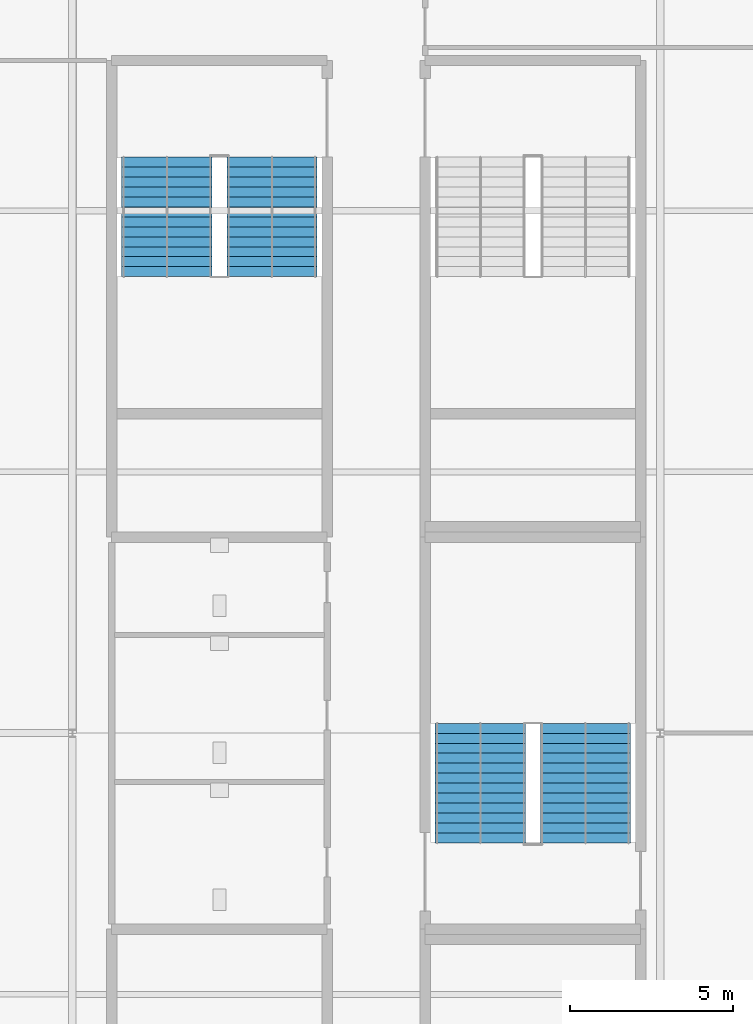
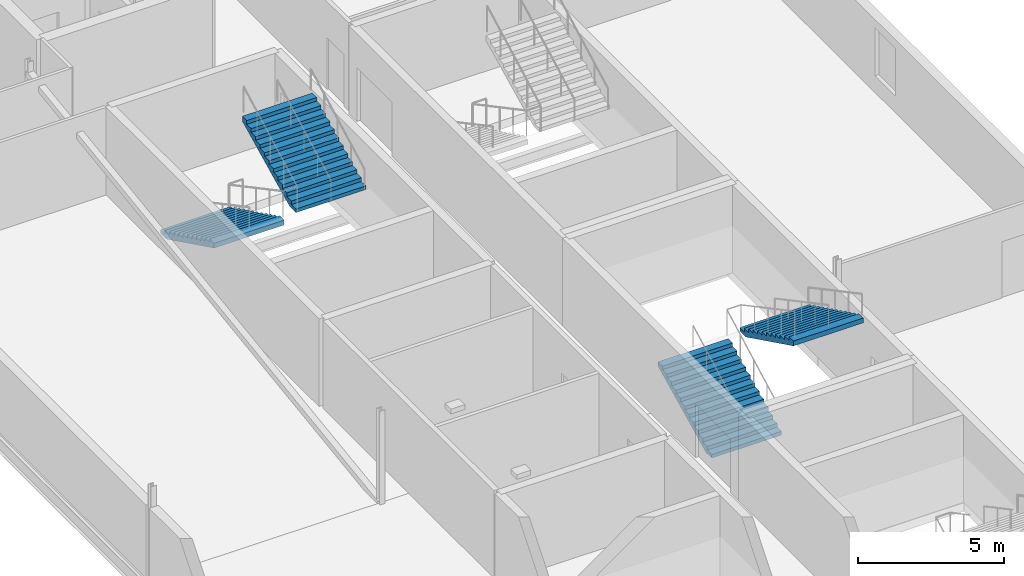
# One storey, part 27 of 35: 4 stair flights, 2 elements without a shape of their own.
"""IFC4 building model written with IfcOpenShell, lengths in metres."""

from ifc_helpers import new_model, si_unit, direction, frame, origin, place, context, subcontext, project, spatial, polygons, material, type_object, element, aggregate, save


model = new_model("IFC4")

# Units and contexts
model_context = context("Model", 3, precision=1e-05, world=origin(), true_north=direction((0.0, 1.0)))
body_context = subcontext(model_context, "Body", "Model", "MODEL_VIEW")
ifc_project = project(units=[si_unit("LENGTHUNIT", "METRE"), si_unit("AREAUNIT", "SQUARE_METRE"), si_unit("VOLUMEUNIT", "CUBIC_METRE"), si_unit("PLANEANGLEUNIT", "RADIAN"), si_unit("MASSUNIT", "GRAM", prefix="KILO")], contexts=[model_context])

# Site, building, storey
site_placement = place(None, origin())
site = spatial("IfcSite", under=ifc_project, at=site_placement, CompositionType="ELEMENT")
building_placement = place(site_placement, origin())
building = spatial("IfcBuilding", under=site, at=building_placement, Name="Kisiwana Market Hall", CompositionType="ELEMENT")
storey_placement = place(building_placement, frame((0.0, 0.0, 57.89990234375)))
storey = spatial("IfcBuildingStorey", under=building, at=storey_placement, Name="L13", CompositionType="ELEMENT", Elevation=57.89990234375)

# Stair, stair flights
ifc_material_1 = material(Name="Concrete C32/40", Category="concrete")
stair_type = type_object("IfcStairType", Name="ST-ESC-3900", PredefinedType="TWO_STRAIGHT_RUN_STAIR", material=ifc_material_1)
stair_1_placement = place(storey_placement, origin())
stair_1 = element("IfcStair", 1, at=stair_1_placement, inside=storey, type_object=stair_type, Name="Escape stair ST-W4-L13", PredefinedType="TWO_STRAIGHT_RUN_STAIR")
ifc_material_2 = material(Name="Concrete C32/40", Category="concrete")
stair_flight_type = type_object("IfcStairFlightType", Name="SF-ESC-3900", PredefinedType="STRAIGHT", material=ifc_material_2)
stair_flight_1_placement = place(storey_placement, frame((11.889892578125, 77.639892578125, 0.0), z_axis=(0.0, 0.0, 1.0), x_axis=(0.0, -1.0, 0.0)))
stair_flight_1 = element("IfcStairFlight", 2, at=stair_flight_1_placement, type_object=stair_flight_type, Name="ST-W4-L13 flight 1", NumberOfRisers=13, NumberOfTreads=12, PredefinedType="STRAIGHT", RiserHeight=0.15, TreadLength=0.305, context=body_context, shape_type="Tessellation", body=[
    polygons([(0.0, -1.380127, 0.0), (0.0, -0.690125, 0.0), (0.0, -0.000122, 0.0), (0.0, 0.68988, 0.0), (0.0, 1.379883, 0.0), (0.0, -1.380127, 0.149902), (0.0, -0.690125, 0.149902), (0.0, -0.000122, 0.149902), (0.0, 0.68988, 0.149902), (0.0, 1.379883, 0.149902), (0.304932, -1.380127, 0.149902), (0.304932, -0.690125, 0.149902), (0.304932, -0.000122, 0.149902), (0.304932, 0.68988, 0.149902), (0.304932, 1.379883, 0.149902), (0.304932, -1.380127, 0.300049), (0.304932, -0.690125, 0.300049), (0.304932, -0.000122, 0.300049), (0.304932, 0.68988, 0.300049), (0.304932, 1.379883, 0.300049), (0.610107, -1.380127, 0.300049), (0.610107, -0.690125, 0.300049), (0.610107, -0.000122, 0.300049), (0.610107, 0.68988, 0.300049), (0.610107, 1.379883, 0.300049), (0.610107, -1.380127, 0.449951), (0.610107, -0.690125, 0.449951), (0.610107, -0.000122, 0.449951), (0.610107, 0.68988, 0.449951), (0.610107, 1.379883, 0.449951), (0.915039, -1.380127, 0.449951), (0.915039, -0.690125, 0.449951), (0.915039, -0.000122, 0.449951), (0.915039, 0.68988, 0.449951), (0.915039, 1.379883, 0.449951), (0.915039, -1.380127, 0.600098), (0.915039, -0.690125, 0.600098), (0.915039, -0.000122, 0.600098), (0.915039, 0.68988, 0.600098), (0.915039, 1.379883, 0.600098), (1.219971, -1.380127, 0.600098), (1.219971, -0.690125, 0.600098), (1.219971, -0.000122, 0.600098), (1.219971, 0.68988, 0.600098), (1.219971, 1.379883, 0.600098), (1.219971, -1.380127, 0.75), (1.219971, -0.690125, 0.75), (1.219971, -0.000122, 0.75), (1.219971, 0.68988, 0.75), (1.219971, 1.379883, 0.75), (1.524902, -1.380127, 0.75), (1.524902, -0.690125, 0.75), (1.524902, -0.000122, 0.75), (1.524902, 0.68988, 0.75), (1.524902, 1.379883, 0.75), (1.524902, -1.380127, 0.899902), (1.524902, -0.690125, 0.899902), (1.524902, -0.000122, 0.899902), (1.524902, 0.68988, 0.899902), (1.524902, 1.379883, 0.899902), (1.830078, -1.380127, 0.899902), (1.830078, -0.690125, 0.899902), (1.830078, -0.000122, 0.899902), (1.830078, 0.68988, 0.899902), (1.830078, 1.379883, 0.899902), (1.830078, -1.380127, 1.050049), (1.830078, -0.690125, 1.050049), (1.830078, -0.000122, 1.050049), (1.830078, 0.68988, 1.050049), (1.830078, 1.379883, 1.050049), (2.13501, -1.380127, 1.050049), (2.13501, -0.690125, 1.050049), (2.13501, -0.000122, 1.050049), (2.13501, 0.68988, 1.050049), (2.13501, 1.379883, 1.050049), (2.13501, -1.380127, 1.199951), (2.13501, -0.690125, 1.199951), (2.13501, -0.000122, 1.199951), (2.13501, 0.68988, 1.199951), (2.13501, 1.379883, 1.199951), (2.439941, -1.380127, 1.199951), (2.439941, -0.690125, 1.199951), (2.439941, -0.000122, 1.199951), (2.439941, 0.68988, 1.199951), (2.439941, 1.379883, 1.199951), (2.439941, -1.380127, 1.350098), (2.439941, -0.690125, 1.350098), (2.439941, -0.000122, 1.350098), (2.439941, 0.68988, 1.350098), (2.439941, 1.379883, 1.350098), (2.745117, -1.380127, 1.350098), (2.745117, -0.690125, 1.350098), (2.745117, -0.000122, 1.350098), (2.745117, 0.68988, 1.350098), (2.745117, 1.379883, 1.350098), (2.745117, -1.380127, 1.5), (2.745117, -0.690125, 1.5), (2.745117, -0.000122, 1.5), (2.745117, 0.68988, 1.5), (2.745117, 1.379883, 1.5), (3.050049, -1.380127, 1.5), (3.050049, -0.690125, 1.5), (3.050049, -0.000122, 1.5), (3.050049, 0.68988, 1.5), (3.050049, 1.379883, 1.5), (3.050049, -1.380127, 1.649902), (3.050049, -0.690125, 1.649902), (3.050049, -0.000122, 1.649902), (3.050049, 0.68988, 1.649902), (3.050049, 1.379883, 1.649902), (3.35498, -1.380127, 1.649902), (3.35498, -0.690125, 1.649902), (3.35498, -0.000122, 1.649902), (3.35498, 0.68988, 1.649902), (3.35498, 1.379883, 1.649902), (3.35498, -1.380127, 1.800049), (3.35498, -0.690125, 1.800049), (3.35498, -0.000122, 1.800049), (3.35498, 0.68988, 1.800049), (3.35498, 1.379883, 1.800049), (3.659912, -1.380127, 1.800049), (3.659912, -0.690125, 1.800049), (3.659912, -0.000122, 1.800049), (3.659912, 0.68988, 1.800049), (3.659912, 1.379883, 1.800049), (3.659912, -1.380127, 1.599365), (3.659912, -0.690125, 1.599365), (3.659912, -0.000122, 1.599365), (3.659912, 0.68988, 1.599365), (3.659912, 1.379883, 1.599365), (0.407715, -1.380127, 0.0), (0.407715, -0.690125, 0.0), (0.407715, -0.000122, 0.0), (0.407715, 0.68988, 0.0), (0.407715, 1.379883, 0.0)], [[[1, 6, 7, 2]], [[2, 7, 8, 3]], [[3, 8, 9, 4]], [[4, 9, 10, 5]], [[6, 11, 12, 7]], [[7, 12, 13, 8]], [[8, 13, 14, 9]], [[9, 14, 15, 10]], [[11, 16, 17, 12]], [[12, 17, 18, 13]], [[13, 18, 19, 14]], [[14, 19, 20, 15]], [[16, 21, 22, 17]], [[17, 22, 23, 18]], [[18, 23, 24, 19]], [[19, 24, 25, 20]], [[21, 26, 27, 22]], [[22, 27, 28, 23]], [[23, 28, 29, 24]], [[24, 29, 30, 25]], [[26, 31, 32, 27]], [[27, 32, 33, 28]], [[28, 33, 34, 29]], [[29, 34, 35, 30]], [[31, 36, 37, 32]], [[32, 37, 38, 33]], [[33, 38, 39, 34]], [[34, 39, 40, 35]], [[36, 41, 42, 37]], [[37, 42, 43, 38]], [[38, 43, 44, 39]], [[39, 44, 45, 40]], [[41, 46, 47, 42]], [[42, 47, 48, 43]], [[43, 48, 49, 44]], [[44, 49, 50, 45]], [[46, 51, 52, 47]], [[47, 52, 53, 48]], [[48, 53, 54, 49]], [[49, 54, 55, 50]], [[51, 56, 57, 52]], [[52, 57, 58, 53]], [[53, 58, 59, 54]], [[54, 59, 60, 55]], [[56, 61, 62, 57]], [[57, 62, 63, 58]], [[58, 63, 64, 59]], [[59, 64, 65, 60]], [[61, 66, 67, 62]], [[62, 67, 68, 63]], [[63, 68, 69, 64]], [[64, 69, 70, 65]], [[66, 71, 72, 67]], [[67, 72, 73, 68]], [[68, 73, 74, 69]], [[69, 74, 75, 70]], [[71, 76, 77, 72]], [[72, 77, 78, 73]], [[73, 78, 79, 74]], [[74, 79, 80, 75]], [[76, 81, 82, 77]], [[77, 82, 83, 78]], [[78, 83, 84, 79]], [[79, 84, 85, 80]], [[81, 86, 87, 82]], [[82, 87, 88, 83]], [[83, 88, 89, 84]], [[84, 89, 90, 85]], [[86, 91, 92, 87]], [[87, 92, 93, 88]], [[88, 93, 94, 89]], [[89, 94, 95, 90]], [[91, 96, 97, 92]], [[92, 97, 98, 93]], [[93, 98, 99, 94]], [[94, 99, 100, 95]], [[96, 101, 102, 97]], [[97, 102, 103, 98]], [[98, 103, 104, 99]], [[99, 104, 105, 100]], [[101, 106, 107, 102]], [[102, 107, 108, 103]], [[103, 108, 109, 104]], [[104, 109, 110, 105]], [[106, 111, 112, 107]], [[107, 112, 113, 108]], [[108, 113, 114, 109]], [[109, 114, 115, 110]], [[111, 116, 117, 112]], [[112, 117, 118, 113]], [[113, 118, 119, 114]], [[114, 119, 120, 115]], [[116, 121, 122, 117]], [[117, 122, 123, 118]], [[118, 123, 124, 119]], [[119, 124, 125, 120]], [[121, 126, 127, 122]], [[122, 127, 128, 123]], [[123, 128, 129, 124]], [[124, 129, 130, 125]], [[126, 131, 132, 127]], [[127, 132, 133, 128]], [[128, 133, 134, 129]], [[129, 134, 135, 130]], [[131, 1, 2, 132]], [[132, 2, 3, 133]], [[133, 3, 4, 134]], [[134, 4, 5, 135]], [[131, 126, 121, 116, 111, 106, 101, 96, 91, 86, 81, 76, 71, 66, 61, 56, 51, 46, 41, 36, 31, 26, 21, 16, 11, 6, 1]], [[5, 10, 15, 20, 25, 30, 35, 40, 45, 50, 55, 60, 65, 70, 75, 80, 85, 90, 95, 100, 105, 110, 115, 120, 125, 130, 135]]], closed=True),
])
stair_flight_2_placement = place(storey_placement, frame((15.110107421875, 73.97998046875, 1.9501953125), z_axis=(0.0, 0.0, 1.0), x_axis=(0.0, 1.0, 0.0)))
stair_flight_2 = element("IfcStairFlight", 3, at=stair_flight_2_placement, type_object=stair_flight_type, Name="ST-W4-L13 flight 2", NumberOfRisers=13, NumberOfTreads=12, PredefinedType="STRAIGHT", RiserHeight=0.15, TreadLength=0.305, context=body_context, shape_type="Tessellation", body=[
    polygons([(0.0, -1.380127, 0.0), (0.0, -0.690125, 0.0), (0.0, -0.000122, 0.0), (0.0, 0.68988, 0.0), (0.0, 1.379883, 0.0), (0.0, -1.380127, 0.149902), (0.0, -0.690125, 0.149902), (0.0, -0.000122, 0.149902), (0.0, 0.68988, 0.149902), (0.0, 1.379883, 0.149902), (0.304932, -1.380127, 0.149902), (0.304932, -0.690125, 0.149902), (0.304932, -0.000122, 0.149902), (0.304932, 0.68988, 0.149902), (0.304932, 1.379883, 0.149902), (0.304932, -1.380127, 0.300049), (0.304932, -0.690125, 0.300049), (0.304932, -0.000122, 0.300049), (0.304932, 0.68988, 0.300049), (0.304932, 1.379883, 0.300049), (0.610107, -1.380127, 0.300049), (0.610107, -0.690125, 0.300049), (0.610107, -0.000122, 0.300049), (0.610107, 0.68988, 0.300049), (0.610107, 1.379883, 0.300049), (0.610107, -1.380127, 0.449951), (0.610107, -0.690125, 0.449951), (0.610107, -0.000122, 0.449951), (0.610107, 0.68988, 0.449951), (0.610107, 1.379883, 0.449951), (0.915039, -1.380127, 0.449951), (0.915039, -0.690125, 0.449951), (0.915039, -0.000122, 0.449951), (0.915039, 0.68988, 0.449951), (0.915039, 1.379883, 0.449951), (0.915039, -1.380127, 0.600098), (0.915039, -0.690125, 0.600098), (0.915039, -0.000122, 0.600098), (0.915039, 0.68988, 0.600098), (0.915039, 1.379883, 0.600098), (1.219971, -1.380127, 0.600098), (1.219971, -0.690125, 0.600098), (1.219971, -0.000122, 0.600098), (1.219971, 0.68988, 0.600098), (1.219971, 1.379883, 0.600098), (1.219971, -1.380127, 0.75), (1.219971, -0.690125, 0.75), (1.219971, -0.000122, 0.75), (1.219971, 0.68988, 0.75), (1.219971, 1.379883, 0.75), (1.524902, -1.380127, 0.75), (1.524902, -0.690125, 0.75), (1.524902, -0.000122, 0.75), (1.524902, 0.68988, 0.75), (1.524902, 1.379883, 0.75), (1.524902, -1.380127, 0.899902), (1.524902, -0.690125, 0.899902), (1.524902, -0.000122, 0.899902), (1.524902, 0.68988, 0.899902), (1.524902, 1.379883, 0.899902), (1.830078, -1.380127, 0.899902), (1.830078, -0.690125, 0.899902), (1.830078, -0.000122, 0.899902), (1.830078, 0.68988, 0.899902), (1.830078, 1.379883, 0.899902), (1.830078, -1.380127, 1.050049), (1.830078, -0.690125, 1.050049), (1.830078, -0.000122, 1.050049), (1.830078, 0.68988, 1.050049), (1.830078, 1.379883, 1.050049), (2.13501, -1.380127, 1.050049), (2.13501, -0.690125, 1.050049), (2.13501, -0.000122, 1.050049), (2.13501, 0.68988, 1.050049), (2.13501, 1.379883, 1.050049), (2.13501, -1.380127, 1.199951), (2.13501, -0.690125, 1.199951), (2.13501, -0.000122, 1.199951), (2.13501, 0.68988, 1.199951), (2.13501, 1.379883, 1.199951), (2.439941, -1.380127, 1.199951), (2.439941, -0.690125, 1.199951), (2.439941, -0.000122, 1.199951), (2.439941, 0.68988, 1.199951), (2.439941, 1.379883, 1.199951), (2.439941, -1.380127, 1.350098), (2.439941, -0.690125, 1.350098), (2.439941, -0.000122, 1.350098), (2.439941, 0.68988, 1.350098), (2.439941, 1.379883, 1.350098), (2.745117, -1.380127, 1.350098), (2.745117, -0.690125, 1.350098), (2.745117, -0.000122, 1.350098), (2.745117, 0.68988, 1.350098), (2.745117, 1.379883, 1.350098), (2.745117, -1.380127, 1.5), (2.745117, -0.690125, 1.5), (2.745117, -0.000122, 1.5), (2.745117, 0.68988, 1.5), (2.745117, 1.379883, 1.5), (3.050049, -1.380127, 1.5), (3.050049, -0.690125, 1.5), (3.050049, -0.000122, 1.5), (3.050049, 0.68988, 1.5), (3.050049, 1.379883, 1.5), (3.050049, -1.380127, 1.649902), (3.050049, -0.690125, 1.649902), (3.050049, -0.000122, 1.649902), (3.050049, 0.68988, 1.649902), (3.050049, 1.379883, 1.649902), (3.35498, -1.380127, 1.649902), (3.35498, -0.690125, 1.649902), (3.35498, -0.000122, 1.649902), (3.35498, 0.68988, 1.649902), (3.35498, 1.379883, 1.649902), (3.35498, -1.380127, 1.800049), (3.35498, -0.690125, 1.800049), (3.35498, -0.000122, 1.800049), (3.35498, 0.68988, 1.800049), (3.35498, 1.379883, 1.800049), (3.659912, -1.380127, 1.800049), (3.659912, -0.690125, 1.800049), (3.659912, -0.000122, 1.800049), (3.659912, 0.68988, 1.800049), (3.659912, 1.379883, 1.800049), (3.659912, -1.380127, 1.599365), (3.659912, -0.690125, 1.599365), (3.659912, -0.000122, 1.599365), (3.659912, 0.68988, 1.599365), (3.659912, 1.379883, 1.599365), (0.407715, -1.380127, 0.0), (0.407715, -0.690125, 0.0), (0.407715, -0.000122, 0.0), (0.407715, 0.68988, 0.0), (0.407715, 1.379883, 0.0)], [[[1, 6, 7, 2]], [[2, 7, 8, 3]], [[3, 8, 9, 4]], [[4, 9, 10, 5]], [[6, 11, 12, 7]], [[7, 12, 13, 8]], [[8, 13, 14, 9]], [[9, 14, 15, 10]], [[11, 16, 17, 12]], [[12, 17, 18, 13]], [[13, 18, 19, 14]], [[14, 19, 20, 15]], [[16, 21, 22, 17]], [[17, 22, 23, 18]], [[18, 23, 24, 19]], [[19, 24, 25, 20]], [[21, 26, 27, 22]], [[22, 27, 28, 23]], [[23, 28, 29, 24]], [[24, 29, 30, 25]], [[26, 31, 32, 27]], [[27, 32, 33, 28]], [[28, 33, 34, 29]], [[29, 34, 35, 30]], [[31, 36, 37, 32]], [[32, 37, 38, 33]], [[33, 38, 39, 34]], [[34, 39, 40, 35]], [[36, 41, 42, 37]], [[37, 42, 43, 38]], [[38, 43, 44, 39]], [[39, 44, 45, 40]], [[41, 46, 47, 42]], [[42, 47, 48, 43]], [[43, 48, 49, 44]], [[44, 49, 50, 45]], [[46, 51, 52, 47]], [[47, 52, 53, 48]], [[48, 53, 54, 49]], [[49, 54, 55, 50]], [[51, 56, 57, 52]], [[52, 57, 58, 53]], [[53, 58, 59, 54]], [[54, 59, 60, 55]], [[56, 61, 62, 57]], [[57, 62, 63, 58]], [[58, 63, 64, 59]], [[59, 64, 65, 60]], [[61, 66, 67, 62]], [[62, 67, 68, 63]], [[63, 68, 69, 64]], [[64, 69, 70, 65]], [[66, 71, 72, 67]], [[67, 72, 73, 68]], [[68, 73, 74, 69]], [[69, 74, 75, 70]], [[71, 76, 77, 72]], [[72, 77, 78, 73]], [[73, 78, 79, 74]], [[74, 79, 80, 75]], [[76, 81, 82, 77]], [[77, 82, 83, 78]], [[78, 83, 84, 79]], [[79, 84, 85, 80]], [[81, 86, 87, 82]], [[82, 87, 88, 83]], [[83, 88, 89, 84]], [[84, 89, 90, 85]], [[86, 91, 92, 87]], [[87, 92, 93, 88]], [[88, 93, 94, 89]], [[89, 94, 95, 90]], [[91, 96, 97, 92]], [[92, 97, 98, 93]], [[93, 98, 99, 94]], [[94, 99, 100, 95]], [[96, 101, 102, 97]], [[97, 102, 103, 98]], [[98, 103, 104, 99]], [[99, 104, 105, 100]], [[101, 106, 107, 102]], [[102, 107, 108, 103]], [[103, 108, 109, 104]], [[104, 109, 110, 105]], [[106, 111, 112, 107]], [[107, 112, 113, 108]], [[108, 113, 114, 109]], [[109, 114, 115, 110]], [[111, 116, 117, 112]], [[112, 117, 118, 113]], [[113, 118, 119, 114]], [[114, 119, 120, 115]], [[116, 121, 122, 117]], [[117, 122, 123, 118]], [[118, 123, 124, 119]], [[119, 124, 125, 120]], [[121, 126, 127, 122]], [[122, 127, 128, 123]], [[123, 128, 129, 124]], [[124, 129, 130, 125]], [[126, 131, 132, 127]], [[127, 132, 133, 128]], [[128, 133, 134, 129]], [[129, 134, 135, 130]], [[131, 1, 2, 132]], [[132, 2, 3, 133]], [[133, 3, 4, 134]], [[134, 4, 5, 135]], [[131, 126, 121, 116, 111, 106, 101, 96, 91, 86, 81, 76, 71, 66, 61, 56, 51, 46, 41, 36, 31, 26, 21, 16, 11, 6, 1]], [[5, 10, 15, 20, 25, 30, 35, 40, 45, 50, 55, 60, 65, 70, 75, 80, 85, 90, 95, 100, 105, 110, 115, 120, 125, 130, 135]]], closed=True),
])
aggregate(stair_1, [stair_flight_1, stair_flight_2])

stair_2_placement = place(storey_placement, origin())
stair_2 = element("IfcStair", 4, at=stair_2_placement, inside=storey, type_object=stair_type, Name="Escape stair ST-W5-L13", PredefinedType="TWO_STRAIGHT_RUN_STAIR")
stair_flight_3_placement = place(storey_placement, frame((21.489990234375, 56.639892578125, 0.0), z_axis=(0.0, 0.0, 1.0), x_axis=(0.0, 1.0, 0.0)))
stair_flight_3 = element("IfcStairFlight", 5, at=stair_flight_3_placement, type_object=stair_flight_type, Name="ST-W5-L13 flight 1", NumberOfRisers=13, NumberOfTreads=12, PredefinedType="STRAIGHT", RiserHeight=0.15, TreadLength=0.305, context=body_context, shape_type="Tessellation", body=[
    polygons([(0.0, -1.380127, 0.0), (0.0, -0.690125, 0.0), (0.0, -0.000122, 0.0), (0.0, 0.68988, 0.0), (0.0, 1.379883, 0.0), (0.0, -1.380127, 0.149902), (0.0, -0.690125, 0.149902), (0.0, -0.000122, 0.149902), (0.0, 0.68988, 0.149902), (0.0, 1.379883, 0.149902), (0.304932, -1.380127, 0.149902), (0.304932, -0.690125, 0.149902), (0.304932, -0.000122, 0.149902), (0.304932, 0.68988, 0.149902), (0.304932, 1.379883, 0.149902), (0.304932, -1.380127, 0.300049), (0.304932, -0.690125, 0.300049), (0.304932, -0.000122, 0.300049), (0.304932, 0.68988, 0.300049), (0.304932, 1.379883, 0.300049), (0.610107, -1.380127, 0.300049), (0.610107, -0.690125, 0.300049), (0.610107, -0.000122, 0.300049), (0.610107, 0.68988, 0.300049), (0.610107, 1.379883, 0.300049), (0.610107, -1.380127, 0.449951), (0.610107, -0.690125, 0.449951), (0.610107, -0.000122, 0.449951), (0.610107, 0.68988, 0.449951), (0.610107, 1.379883, 0.449951), (0.915039, -1.380127, 0.449951), (0.915039, -0.690125, 0.449951), (0.915039, -0.000122, 0.449951), (0.915039, 0.68988, 0.449951), (0.915039, 1.379883, 0.449951), (0.915039, -1.380127, 0.600098), (0.915039, -0.690125, 0.600098), (0.915039, -0.000122, 0.600098), (0.915039, 0.68988, 0.600098), (0.915039, 1.379883, 0.600098), (1.219971, -1.380127, 0.600098), (1.219971, -0.690125, 0.600098), (1.219971, -0.000122, 0.600098), (1.219971, 0.68988, 0.600098), (1.219971, 1.379883, 0.600098), (1.219971, -1.380127, 0.75), (1.219971, -0.690125, 0.75), (1.219971, -0.000122, 0.75), (1.219971, 0.68988, 0.75), (1.219971, 1.379883, 0.75), (1.524902, -1.380127, 0.75), (1.524902, -0.690125, 0.75), (1.524902, -0.000122, 0.75), (1.524902, 0.68988, 0.75), (1.524902, 1.379883, 0.75), (1.524902, -1.380127, 0.899902), (1.524902, -0.690125, 0.899902), (1.524902, -0.000122, 0.899902), (1.524902, 0.68988, 0.899902), (1.524902, 1.379883, 0.899902), (1.830078, -1.380127, 0.899902), (1.830078, -0.690125, 0.899902), (1.830078, -0.000122, 0.899902), (1.830078, 0.68988, 0.899902), (1.830078, 1.379883, 0.899902), (1.830078, -1.380127, 1.050049), (1.830078, -0.690125, 1.050049), (1.830078, -0.000122, 1.050049), (1.830078, 0.68988, 1.050049), (1.830078, 1.379883, 1.050049), (2.13501, -1.380127, 1.050049), (2.13501, -0.690125, 1.050049), (2.13501, -0.000122, 1.050049), (2.13501, 0.68988, 1.050049), (2.13501, 1.379883, 1.050049), (2.13501, -1.380127, 1.199951), (2.13501, -0.690125, 1.199951), (2.13501, -0.000122, 1.199951), (2.13501, 0.68988, 1.199951), (2.13501, 1.379883, 1.199951), (2.439941, -1.380127, 1.199951), (2.439941, -0.690125, 1.199951), (2.439941, -0.000122, 1.199951), (2.439941, 0.68988, 1.199951), (2.439941, 1.379883, 1.199951), (2.439941, -1.380127, 1.350098), (2.439941, -0.690125, 1.350098), (2.439941, -0.000122, 1.350098), (2.439941, 0.68988, 1.350098), (2.439941, 1.379883, 1.350098), (2.745117, -1.380127, 1.350098), (2.745117, -0.690125, 1.350098), (2.745117, -0.000122, 1.350098), (2.745117, 0.68988, 1.350098), (2.745117, 1.379883, 1.350098), (2.745117, -1.380127, 1.5), (2.745117, -0.690125, 1.5), (2.745117, -0.000122, 1.5), (2.745117, 0.68988, 1.5), (2.745117, 1.379883, 1.5), (3.050049, -1.380127, 1.5), (3.050049, -0.690125, 1.5), (3.050049, -0.000122, 1.5), (3.050049, 0.68988, 1.5), (3.050049, 1.379883, 1.5), (3.050049, -1.380127, 1.649902), (3.050049, -0.690125, 1.649902), (3.050049, -0.000122, 1.649902), (3.050049, 0.68988, 1.649902), (3.050049, 1.379883, 1.649902), (3.35498, -1.380127, 1.649902), (3.35498, -0.690125, 1.649902), (3.35498, -0.000122, 1.649902), (3.35498, 0.68988, 1.649902), (3.35498, 1.379883, 1.649902), (3.35498, -1.380127, 1.800049), (3.35498, -0.690125, 1.800049), (3.35498, -0.000122, 1.800049), (3.35498, 0.68988, 1.800049), (3.35498, 1.379883, 1.800049), (3.659912, -1.380127, 1.800049), (3.659912, -0.690125, 1.800049), (3.659912, -0.000122, 1.800049), (3.659912, 0.68988, 1.800049), (3.659912, 1.379883, 1.800049), (3.659912, -1.380127, 1.599365), (3.659912, -0.690125, 1.599365), (3.659912, -0.000122, 1.599365), (3.659912, 0.68988, 1.599365), (3.659912, 1.379883, 1.599365), (0.407715, -1.380127, 0.0), (0.407715, -0.690125, 0.0), (0.407715, -0.000122, 0.0), (0.407715, 0.68988, 0.0), (0.407715, 1.379883, 0.0)], [[[1, 6, 7, 2]], [[2, 7, 8, 3]], [[3, 8, 9, 4]], [[4, 9, 10, 5]], [[6, 11, 12, 7]], [[7, 12, 13, 8]], [[8, 13, 14, 9]], [[9, 14, 15, 10]], [[11, 16, 17, 12]], [[12, 17, 18, 13]], [[13, 18, 19, 14]], [[14, 19, 20, 15]], [[16, 21, 22, 17]], [[17, 22, 23, 18]], [[18, 23, 24, 19]], [[19, 24, 25, 20]], [[21, 26, 27, 22]], [[22, 27, 28, 23]], [[23, 28, 29, 24]], [[24, 29, 30, 25]], [[26, 31, 32, 27]], [[27, 32, 33, 28]], [[28, 33, 34, 29]], [[29, 34, 35, 30]], [[31, 36, 37, 32]], [[32, 37, 38, 33]], [[33, 38, 39, 34]], [[34, 39, 40, 35]], [[36, 41, 42, 37]], [[37, 42, 43, 38]], [[38, 43, 44, 39]], [[39, 44, 45, 40]], [[41, 46, 47, 42]], [[42, 47, 48, 43]], [[43, 48, 49, 44]], [[44, 49, 50, 45]], [[46, 51, 52, 47]], [[47, 52, 53, 48]], [[48, 53, 54, 49]], [[49, 54, 55, 50]], [[51, 56, 57, 52]], [[52, 57, 58, 53]], [[53, 58, 59, 54]], [[54, 59, 60, 55]], [[56, 61, 62, 57]], [[57, 62, 63, 58]], [[58, 63, 64, 59]], [[59, 64, 65, 60]], [[61, 66, 67, 62]], [[62, 67, 68, 63]], [[63, 68, 69, 64]], [[64, 69, 70, 65]], [[66, 71, 72, 67]], [[67, 72, 73, 68]], [[68, 73, 74, 69]], [[69, 74, 75, 70]], [[71, 76, 77, 72]], [[72, 77, 78, 73]], [[73, 78, 79, 74]], [[74, 79, 80, 75]], [[76, 81, 82, 77]], [[77, 82, 83, 78]], [[78, 83, 84, 79]], [[79, 84, 85, 80]], [[81, 86, 87, 82]], [[82, 87, 88, 83]], [[83, 88, 89, 84]], [[84, 89, 90, 85]], [[86, 91, 92, 87]], [[87, 92, 93, 88]], [[88, 93, 94, 89]], [[89, 94, 95, 90]], [[91, 96, 97, 92]], [[92, 97, 98, 93]], [[93, 98, 99, 94]], [[94, 99, 100, 95]], [[96, 101, 102, 97]], [[97, 102, 103, 98]], [[98, 103, 104, 99]], [[99, 104, 105, 100]], [[101, 106, 107, 102]], [[102, 107, 108, 103]], [[103, 108, 109, 104]], [[104, 109, 110, 105]], [[106, 111, 112, 107]], [[107, 112, 113, 108]], [[108, 113, 114, 109]], [[109, 114, 115, 110]], [[111, 116, 117, 112]], [[112, 117, 118, 113]], [[113, 118, 119, 114]], [[114, 119, 120, 115]], [[116, 121, 122, 117]], [[117, 122, 123, 118]], [[118, 123, 124, 119]], [[119, 124, 125, 120]], [[121, 126, 127, 122]], [[122, 127, 128, 123]], [[123, 128, 129, 124]], [[124, 129, 130, 125]], [[126, 131, 132, 127]], [[127, 132, 133, 128]], [[128, 133, 134, 129]], [[129, 134, 135, 130]], [[131, 1, 2, 132]], [[132, 2, 3, 133]], [[133, 3, 4, 134]], [[134, 4, 5, 135]], [[131, 126, 121, 116, 111, 106, 101, 96, 91, 86, 81, 76, 71, 66, 61, 56, 51, 46, 41, 36, 31, 26, 21, 16, 11, 6, 1]], [[5, 10, 15, 20, 25, 30, 35, 40, 45, 50, 55, 60, 65, 70, 75, 80, 85, 90, 95, 100, 105, 110, 115, 120, 125, 130, 135]]], closed=True),
])
stair_flight_4_placement = place(storey_placement, frame((24.7099609375, 60.300048828125, 1.9501953125), z_axis=(0.0, 0.0, 1.0), x_axis=(0.0, -1.0, 0.0)))
stair_flight_4 = element("IfcStairFlight", 6, at=stair_flight_4_placement, type_object=stair_flight_type, Name="ST-W5-L13 flight 2", NumberOfRisers=13, NumberOfTreads=12, PredefinedType="STRAIGHT", RiserHeight=0.15, TreadLength=0.305, context=body_context, shape_type="Tessellation", body=[
    polygons([(0.0, -1.380127, 0.0), (0.0, -0.690125, 0.0), (0.0, -0.000122, 0.0), (0.0, 0.68988, 0.0), (0.0, 1.379883, 0.0), (0.0, -1.380127, 0.149902), (0.0, -0.690125, 0.149902), (0.0, -0.000122, 0.149902), (0.0, 0.68988, 0.149902), (0.0, 1.379883, 0.149902), (0.304932, -1.380127, 0.149902), (0.304932, -0.690125, 0.149902), (0.304932, -0.000122, 0.149902), (0.304932, 0.68988, 0.149902), (0.304932, 1.379883, 0.149902), (0.304932, -1.380127, 0.300049), (0.304932, -0.690125, 0.300049), (0.304932, -0.000122, 0.300049), (0.304932, 0.68988, 0.300049), (0.304932, 1.379883, 0.300049), (0.610107, -1.380127, 0.300049), (0.610107, -0.690125, 0.300049), (0.610107, -0.000122, 0.300049), (0.610107, 0.68988, 0.300049), (0.610107, 1.379883, 0.300049), (0.610107, -1.380127, 0.449951), (0.610107, -0.690125, 0.449951), (0.610107, -0.000122, 0.449951), (0.610107, 0.68988, 0.449951), (0.610107, 1.379883, 0.449951), (0.915039, -1.380127, 0.449951), (0.915039, -0.690125, 0.449951), (0.915039, -0.000122, 0.449951), (0.915039, 0.68988, 0.449951), (0.915039, 1.379883, 0.449951), (0.915039, -1.380127, 0.600098), (0.915039, -0.690125, 0.600098), (0.915039, -0.000122, 0.600098), (0.915039, 0.68988, 0.600098), (0.915039, 1.379883, 0.600098), (1.219971, -1.380127, 0.600098), (1.219971, -0.690125, 0.600098), (1.219971, -0.000122, 0.600098), (1.219971, 0.68988, 0.600098), (1.219971, 1.379883, 0.600098), (1.219971, -1.380127, 0.75), (1.219971, -0.690125, 0.75), (1.219971, -0.000122, 0.75), (1.219971, 0.68988, 0.75), (1.219971, 1.379883, 0.75), (1.524902, -1.380127, 0.75), (1.524902, -0.690125, 0.75), (1.524902, -0.000122, 0.75), (1.524902, 0.68988, 0.75), (1.524902, 1.379883, 0.75), (1.524902, -1.380127, 0.899902), (1.524902, -0.690125, 0.899902), (1.524902, -0.000122, 0.899902), (1.524902, 0.68988, 0.899902), (1.524902, 1.379883, 0.899902), (1.830078, -1.380127, 0.899902), (1.830078, -0.690125, 0.899902), (1.830078, -0.000122, 0.899902), (1.830078, 0.68988, 0.899902), (1.830078, 1.379883, 0.899902), (1.830078, -1.380127, 1.050049), (1.830078, -0.690125, 1.050049), (1.830078, -0.000122, 1.050049), (1.830078, 0.68988, 1.050049), (1.830078, 1.379883, 1.050049), (2.13501, -1.380127, 1.050049), (2.13501, -0.690125, 1.050049), (2.13501, -0.000122, 1.050049), (2.13501, 0.68988, 1.050049), (2.13501, 1.379883, 1.050049), (2.13501, -1.380127, 1.199951), (2.13501, -0.690125, 1.199951), (2.13501, -0.000122, 1.199951), (2.13501, 0.68988, 1.199951), (2.13501, 1.379883, 1.199951), (2.439941, -1.380127, 1.199951), (2.439941, -0.690125, 1.199951), (2.439941, -0.000122, 1.199951), (2.439941, 0.68988, 1.199951), (2.439941, 1.379883, 1.199951), (2.439941, -1.380127, 1.350098), (2.439941, -0.690125, 1.350098), (2.439941, -0.000122, 1.350098), (2.439941, 0.68988, 1.350098), (2.439941, 1.379883, 1.350098), (2.745117, -1.380127, 1.350098), (2.745117, -0.690125, 1.350098), (2.745117, -0.000122, 1.350098), (2.745117, 0.68988, 1.350098), (2.745117, 1.379883, 1.350098), (2.745117, -1.380127, 1.5), (2.745117, -0.690125, 1.5), (2.745117, -0.000122, 1.5), (2.745117, 0.68988, 1.5), (2.745117, 1.379883, 1.5), (3.050049, -1.380127, 1.5), (3.050049, -0.690125, 1.5), (3.050049, -0.000122, 1.5), (3.050049, 0.68988, 1.5), (3.050049, 1.379883, 1.5), (3.050049, -1.380127, 1.649902), (3.050049, -0.690125, 1.649902), (3.050049, -0.000122, 1.649902), (3.050049, 0.68988, 1.649902), (3.050049, 1.379883, 1.649902), (3.35498, -1.380127, 1.649902), (3.35498, -0.690125, 1.649902), (3.35498, -0.000122, 1.649902), (3.35498, 0.68988, 1.649902), (3.35498, 1.379883, 1.649902), (3.35498, -1.380127, 1.800049), (3.35498, -0.690125, 1.800049), (3.35498, -0.000122, 1.800049), (3.35498, 0.68988, 1.800049), (3.35498, 1.379883, 1.800049), (3.659912, -1.380127, 1.800049), (3.659912, -0.690125, 1.800049), (3.659912, -0.000122, 1.800049), (3.659912, 0.68988, 1.800049), (3.659912, 1.379883, 1.800049), (3.659912, -1.380127, 1.599365), (3.659912, -0.690125, 1.599365), (3.659912, -0.000122, 1.599365), (3.659912, 0.68988, 1.599365), (3.659912, 1.379883, 1.599365), (0.407715, -1.380127, 0.0), (0.407715, -0.690125, 0.0), (0.407715, -0.000122, 0.0), (0.407715, 0.68988, 0.0), (0.407715, 1.379883, 0.0)], [[[1, 6, 7, 2]], [[2, 7, 8, 3]], [[3, 8, 9, 4]], [[4, 9, 10, 5]], [[6, 11, 12, 7]], [[7, 12, 13, 8]], [[8, 13, 14, 9]], [[9, 14, 15, 10]], [[11, 16, 17, 12]], [[12, 17, 18, 13]], [[13, 18, 19, 14]], [[14, 19, 20, 15]], [[16, 21, 22, 17]], [[17, 22, 23, 18]], [[18, 23, 24, 19]], [[19, 24, 25, 20]], [[21, 26, 27, 22]], [[22, 27, 28, 23]], [[23, 28, 29, 24]], [[24, 29, 30, 25]], [[26, 31, 32, 27]], [[27, 32, 33, 28]], [[28, 33, 34, 29]], [[29, 34, 35, 30]], [[31, 36, 37, 32]], [[32, 37, 38, 33]], [[33, 38, 39, 34]], [[34, 39, 40, 35]], [[36, 41, 42, 37]], [[37, 42, 43, 38]], [[38, 43, 44, 39]], [[39, 44, 45, 40]], [[41, 46, 47, 42]], [[42, 47, 48, 43]], [[43, 48, 49, 44]], [[44, 49, 50, 45]], [[46, 51, 52, 47]], [[47, 52, 53, 48]], [[48, 53, 54, 49]], [[49, 54, 55, 50]], [[51, 56, 57, 52]], [[52, 57, 58, 53]], [[53, 58, 59, 54]], [[54, 59, 60, 55]], [[56, 61, 62, 57]], [[57, 62, 63, 58]], [[58, 63, 64, 59]], [[59, 64, 65, 60]], [[61, 66, 67, 62]], [[62, 67, 68, 63]], [[63, 68, 69, 64]], [[64, 69, 70, 65]], [[66, 71, 72, 67]], [[67, 72, 73, 68]], [[68, 73, 74, 69]], [[69, 74, 75, 70]], [[71, 76, 77, 72]], [[72, 77, 78, 73]], [[73, 78, 79, 74]], [[74, 79, 80, 75]], [[76, 81, 82, 77]], [[77, 82, 83, 78]], [[78, 83, 84, 79]], [[79, 84, 85, 80]], [[81, 86, 87, 82]], [[82, 87, 88, 83]], [[83, 88, 89, 84]], [[84, 89, 90, 85]], [[86, 91, 92, 87]], [[87, 92, 93, 88]], [[88, 93, 94, 89]], [[89, 94, 95, 90]], [[91, 96, 97, 92]], [[92, 97, 98, 93]], [[93, 98, 99, 94]], [[94, 99, 100, 95]], [[96, 101, 102, 97]], [[97, 102, 103, 98]], [[98, 103, 104, 99]], [[99, 104, 105, 100]], [[101, 106, 107, 102]], [[102, 107, 108, 103]], [[103, 108, 109, 104]], [[104, 109, 110, 105]], [[106, 111, 112, 107]], [[107, 112, 113, 108]], [[108, 113, 114, 109]], [[109, 114, 115, 110]], [[111, 116, 117, 112]], [[112, 117, 118, 113]], [[113, 118, 119, 114]], [[114, 119, 120, 115]], [[116, 121, 122, 117]], [[117, 122, 123, 118]], [[118, 123, 124, 119]], [[119, 124, 125, 120]], [[121, 126, 127, 122]], [[122, 127, 128, 123]], [[123, 128, 129, 124]], [[124, 129, 130, 125]], [[126, 131, 132, 127]], [[127, 132, 133, 128]], [[128, 133, 134, 129]], [[129, 134, 135, 130]], [[131, 1, 2, 132]], [[132, 2, 3, 133]], [[133, 3, 4, 134]], [[134, 4, 5, 135]], [[131, 126, 121, 116, 111, 106, 101, 96, 91, 86, 81, 76, 71, 66, 61, 56, 51, 46, 41, 36, 31, 26, 21, 16, 11, 6, 1]], [[5, 10, 15, 20, 25, 30, 35, 40, 45, 50, 55, 60, 65, 70, 75, 80, 85, 90, 95, 100, 105, 110, 115, 120, 125, 130, 135]]], closed=True),
])
aggregate(stair_2, [stair_flight_3, stair_flight_4])

save(model, "model.ifc")
